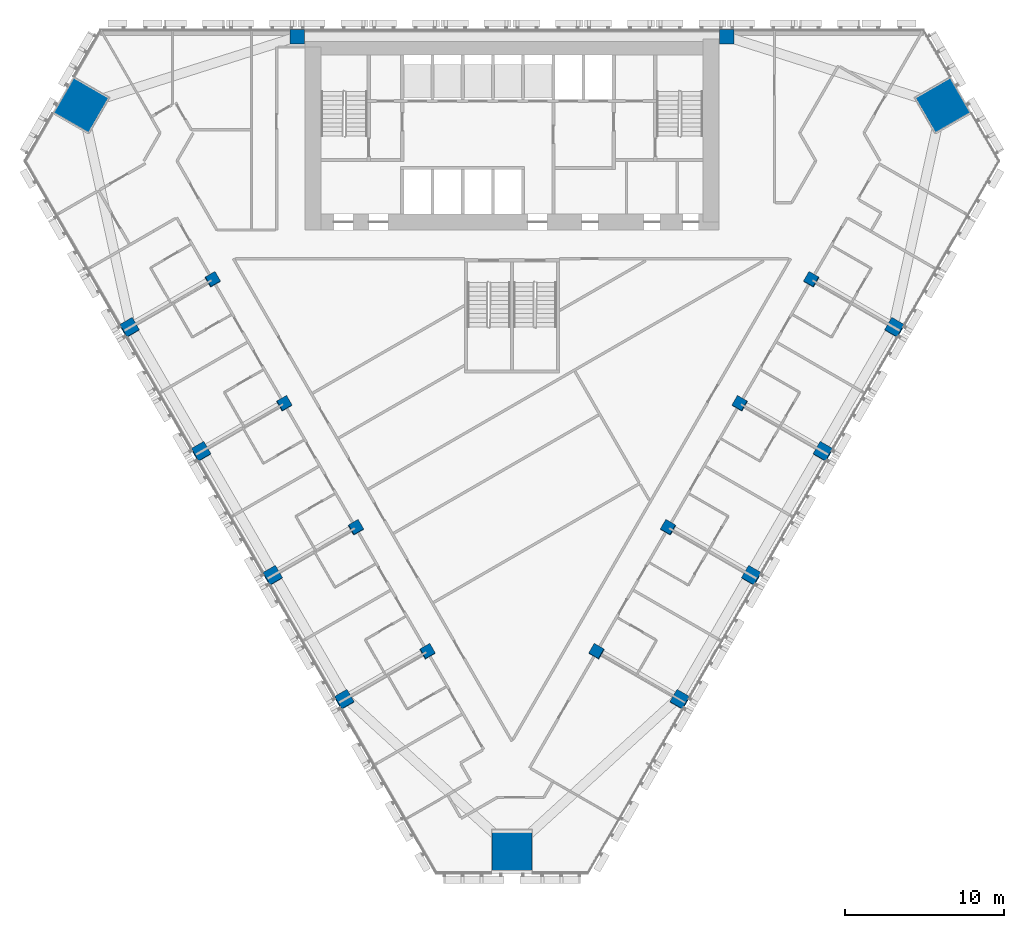
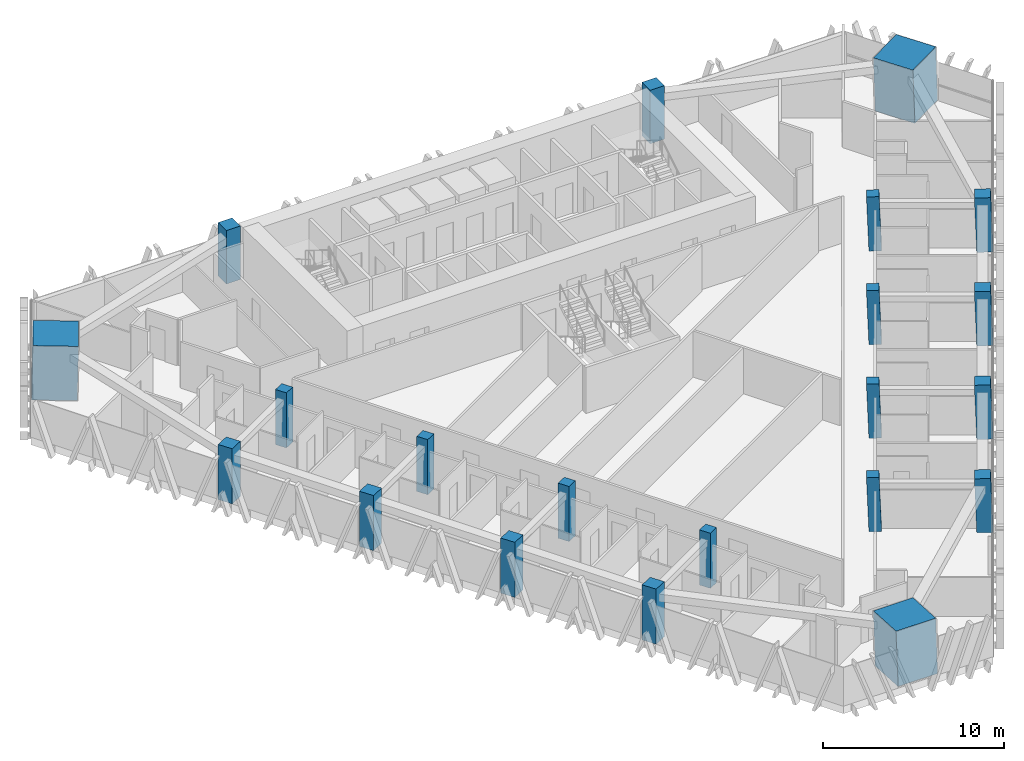
# One storey, part 1 of 18: 21 columns.
"""IFC4 building model written with IfcOpenShell, lengths in metres."""

import ifcopenshell
import ifcopenshell.guid

model = None  # the IFC model being written
_history = None  # IfcOwnerHistory: only IFC2X3 demands one
_inside = {}  # id of a spatial element -> (the spatial element, [elements in it])
_under = {}  # id of a project, library or spatial element -> (it, [spatial elements below it])
_declared = {}  # id of a project -> (the project, [libraries it declares])
_typed = {}  # id of a type object -> (the type object, [elements of that type])
_made_of = {}  # id of a material, layer set ... -> (it, [elements and type objects made of it])


def new_model(schema):
    """Start an empty IFC model of exactly this schema.

    Asked for "IFC4X3", IfcOpenShell would pick the latest addendum, in which some entities
    have other attributes; the version numbers below select the first issue.
    IFC2X3 requires an IfcOwnerHistory on every rooted entity: one is made here for all.
    """
    global model, _history
    if schema == "IFC4X3":
        model = ifcopenshell.file(schema_version=(4, 3, 0, 0))
    else:
        model = ifcopenshell.file(schema=schema)
    _inside.clear()
    _under.clear()
    _declared.clear()
    _typed.clear()
    _made_of.clear()
    _history = None
    if model.schema == "IFC2X3":
        org = make("IfcOrganization", Name="unknown")
        user = make(
            "IfcPersonAndOrganization",
            ThePerson=make("IfcPerson", FamilyName="unknown"),
            TheOrganization=org,
        )
        app = make(
            "IfcApplication",
            ApplicationDeveloper=org,
            Version="unknown",
            ApplicationFullName="unknown",
            ApplicationIdentifier="unknown",
        )
        _history = make(
            "IfcOwnerHistory",
            OwningUser=user,
            OwningApplication=app,
            ChangeAction="ADDED",
            CreationDate=0,
        )
    return model


def make(cls, **values):
    """One entity of the class cls with the attributes given. An attribute that is None is left unset."""
    return model.create_entity(
        cls, **{name: value for name, value in values.items() if value is not None}
    )


def rooted(cls, **values):
    """An entity with a GlobalId (a new one), such as an element, a storey or a relation."""
    return make(cls, GlobalId=ifcopenshell.guid.new(), OwnerHistory=_history, **values)


def si_unit(unit_type, name, prefix=None):
    """IfcSIUnit, for example si_unit("LENGTHUNIT", "METRE", prefix="MILLI")."""
    return make("IfcSIUnit", UnitType=unit_type, Prefix=prefix, Name=name)


def assignment(units):
    """IfcUnitAssignment: the units of a project."""
    return None if units is None else make("IfcUnitAssignment", Units=units)


def point(xyz):
    """IfcCartesianPoint."""
    return None if xyz is None else make("IfcCartesianPoint", Coordinates=xyz)


def direction(xyz):
    """IfcDirection."""
    return None if xyz is None else make("IfcDirection", DirectionRatios=xyz)


def frame(location, z_axis=None, x_axis=None):
    """IfcAxis2Placement3D, a coordinate frame: its origin and axes. An axis left out is left unset."""
    return make(
        "IfcAxis2Placement3D",
        Location=point(location),
        Axis=direction(z_axis),
        RefDirection=direction(x_axis),
    )


def frame_2d(location, x_axis=None):
    """IfcAxis2Placement2D, a coordinate frame in the plane: its origin and x axis."""
    return make(
        "IfcAxis2Placement2D", Location=point(location), RefDirection=direction(x_axis)
    )


def origin():
    """The frame at (0, 0, 0) with its axes left unset."""
    return frame((0.0, 0.0, 0.0))


def origin_2d():
    """The frame at (0, 0) in the plane with its x axis left unset."""
    return frame_2d((0.0, 0.0))


def place(relative_to, where):
    """IfcLocalPlacement: puts the frame where relative to a parent placement (None: the world)."""
    return make(
        "IfcLocalPlacement", PlacementRelTo=relative_to, RelativePlacement=where
    )


def context(
    kind, dimensions, precision=None, world=None, true_north=None, identifier=None
):
    """IfcGeometricRepresentationContext, for example the 3D "Model" context."""
    return make(
        "IfcGeometricRepresentationContext",
        ContextIdentifier=identifier,
        ContextType=kind,
        CoordinateSpaceDimension=dimensions,
        Precision=precision,
        WorldCoordinateSystem=world,
        TrueNorth=true_north,
    )


def subcontext(parent, identifier, kind, view, scale=None):
    """IfcGeometricRepresentationSubContext, for example "Body" below "Model"."""
    return make(
        "IfcGeometricRepresentationSubContext",
        ContextIdentifier=identifier,
        ContextType=kind,
        ParentContext=parent,
        TargetScale=scale,
        TargetView=view,
    )


def project(units=None, contexts=None):
    """IfcProject with its units and contexts."""
    return rooted(
        "IfcProject",
        Name="project",
        RepresentationContexts=contexts,
        UnitsInContext=assignment(units),
    )


def spatial(cls, under=None, at=None, **own):
    """A site, building, storey or space (cls), placed at a placement, below another one or the project."""
    s = rooted(cls, ObjectPlacement=at, **own)
    if under is not None:
        _under.setdefault(under.id(), (under, []))[1].append(s)
    return s


def profile(cls, at=None, kind="AREA", **sizes):
    """A parametric profile (cls). Its sizes go by their IFC names, for example OverallWidth=200.0."""
    return make(cls, ProfileType=kind, Position=at, **sizes)


def rectangle(**sizes):
    """IfcRectangleProfileDef."""
    return profile("IfcRectangleProfileDef", **sizes)


def extrude(swept, where, along, depth):
    """IfcExtrudedAreaSolid: the profile swept, set in the frame where, extruded along a direction by depth."""
    return make(
        "IfcExtrudedAreaSolid",
        SweptArea=swept,
        Position=where,
        ExtrudedDirection=direction(along),
        Depth=depth,
    )


def shape(context_of_items, identifier, shape_type, items):
    """IfcShapeRepresentation: the items that make up one representation, for example the "Body"."""
    return make(
        "IfcShapeRepresentation",
        ContextOfItems=context_of_items,
        RepresentationIdentifier=identifier,
        RepresentationType=shape_type,
        Items=items,
    )


def material(Name=None, Category=None):
    """IfcMaterial."""
    return make("IfcMaterial", Name=Name, Category=Category)


def material_profile(
    of_material, cross_section, Name=None, Category=None, Priority=None
):
    """IfcMaterialProfile: a cross section and its material."""
    return make(
        "IfcMaterialProfile",
        Name=Name,
        Material=of_material,
        Profile=cross_section,
        Priority=Priority,
        Category=Category,
    )


def profile_set(profiles, Name=None, composite=None):
    """IfcMaterialProfileSet."""
    return make(
        "IfcMaterialProfileSet",
        Name=Name,
        MaterialProfiles=profiles,
        CompositeProfile=composite,
    )


def made_of(thing, what):
    """Note that an element or type object is made of a material, layer set ...; save() writes the relation."""
    if what is not None:
        _made_of.setdefault(what.id(), (what, []))[1].append(thing)
    return thing


def type_object(cls, material=None, **own):
    """A type object (cls), such as IfcWallType, which elements share."""
    return made_of(rooted(cls, **own), material)


def element(
    cls,
    number,
    at=None,
    inside=None,
    cuts=None,
    type_object=None,
    material=None,
    context=None,
    identifier="Body",
    shape_type=None,
    held_by="IfcProductDefinitionShape",
    body=None,
    shapes=None,
    **own,
):
    """One element of the class cls, such as IfcWall. Its Tag is "e" and its number.

    at: its placement. inside: the storey or other place that contains it. cuts: it is an
    opening in that element (IfcRelVoidsElement). A single representation is given by context,
    identifier, shape_type and body (its items); several are given by shapes. held_by: the class
    of the entity that holds the representations. save() writes the other relations.
    """
    e = rooted(cls, Tag="e%d" % number, ObjectPlacement=at, **own)
    if body is not None:
        shapes = [shape(context, identifier, shape_type, body)]
    if shapes is not None:
        e.Representation = make(held_by, Representations=shapes)
    if inside is not None:
        _inside.setdefault(inside.id(), (inside, []))[1].append(e)
    if cuts is not None:
        rooted(
            "IfcRelVoidsElement", RelatingBuildingElement=cuts, RelatedOpeningElement=e
        )
    if type_object is not None:
        _typed.setdefault(type_object.id(), (type_object, []))[1].append(e)
    return made_of(e, material)


def aggregate(whole, parts):
    """IfcRelAggregates: a whole, such as a stair, and the parts it consists of."""
    return rooted("IfcRelAggregates", RelatingObject=whole, RelatedObjects=parts)


def save(model, path):
    """Write the relations noted so far, then the file.

    IfcRelAggregates (storeys below a building ...), IfcRelContainedInSpatialStructure (elements
    in a storey), IfcRelDefinesByType, IfcRelAssociatesMaterial and IfcRelDeclares: one each for
    every whole, place, type object, material and project.
    """
    for whole, parts in _under.values():
        aggregate(whole, parts)
    for where, things in _inside.values():
        rooted(
            "IfcRelContainedInSpatialStructure",
            RelatedElements=things,
            RelatingStructure=where,
        )
    for kind, things in _typed.values():
        rooted("IfcRelDefinesByType", RelatedObjects=things, RelatingType=kind)
    for what, things in _made_of.values():
        rooted("IfcRelAssociatesMaterial", RelatedObjects=things, RelatingMaterial=what)
    for by, libraries in _declared.values():
        rooted("IfcRelDeclares", RelatingContext=by, RelatedDefinitions=libraries)
    model.write(path)


model = new_model("IFC4")

# Units and contexts
model_context = context("Model", 3, precision=1e-05, world=origin(), true_north=direction((0.0, 1.0)))
body_context = subcontext(model_context, "Body", "Model", "MODEL_VIEW")
ifc_project = project(units=[si_unit("LENGTHUNIT", "METRE"), si_unit("AREAUNIT", "SQUARE_METRE"), si_unit("VOLUMEUNIT", "CUBIC_METRE"), si_unit("PLANEANGLEUNIT", "RADIAN"), si_unit("MASSUNIT", "GRAM", prefix="KILO")], contexts=[model_context])

# Site, building, storey
site_placement = place(None, origin())
site = spatial("IfcSite", under=ifc_project, at=site_placement, CompositionType="ELEMENT")
building_placement = place(site_placement, origin())
building = spatial("IfcBuilding", under=site, at=building_placement, Name="Altiplano Prism Tower", CompositionType="ELEMENT")
storey_placement = place(building_placement, frame((0.0, 0.0, 48.60009765625)))
storey = spatial("IfcBuildingStorey", under=building, at=storey_placement, Name="L11", CompositionType="ELEMENT", Elevation=48.60009765625)

# Columns
ifc_material_1 = material(Name="Concrete C60/75", Category="concrete")
ifc_material_profile_1 = material_profile(ifc_material_1, rectangle(XDim=0.699951171875, YDim=0.699951171875, at=origin_2d()), Name="Inner column 700")
ifc_profile_set_1 = profile_set([ifc_material_profile_1], Name="Concrete C60/75")
column_type_1 = type_object("IfcColumnType", Name="Inner column 700", PredefinedType="COLUMN", material=ifc_profile_set_1)
for number, where, z_axis, x_axis, name in (
    (1, (66.172119140625, 89.271728515625, -0.021240234375), (0.022222852987, 0.038483477124, 0.999012095419), (-0.865643603437, -0.499179364078, 0.03848524793), "Inner column I11 L11"),
    (2, (70.672119140625, 81.4775390625, -0.021240234375), (0.022222852987, 0.038483477124, 0.999012095419), (-0.865643577248, -0.499179409403, 0.038485249093), "Inner column I12 L11"),
    (3, (75.172119140625, 73.683349609375, -0.021240234375), (0.022222910879, 0.038415824599, 0.999014697916), (-0.86602287418, -0.498524982078, 0.03843466718), "Inner column I13 L11"),
    (4, (79.672119140625, 65.88916015625, -0.021240234375), (0.022222910879, 0.038415824599, 0.999014697916), (-0.866022865462, -0.498524997193, 0.038434667567), "Inner column I14 L11"),
    (5, (90.327880859375, 65.88916015625, -0.021240234375), (-0.022222910879, 0.038415824599, 0.999014697916), (-0.499510298922, -0.86602370152, 0.022190305915), "Inner column I21 L11"),
    (6, (94.827880859375, 73.683349609375, -0.021240234375), (-0.022222910879, 0.038415824599, 0.999014697916), (-0.499510283807, -0.866023710221, 0.022190306586), "Inner column I22 L11"),
    (7, (99.327880859375, 81.4775390625, -0.021240234375), (-0.022222852987, 0.038483477124, 0.999012095419), (-0.500167313981, -0.865643656025, 0.022219784173), "Inner column I23 L11"),
    (8, (103.827880859375, 89.271728515625, -0.021240234375), (-0.022222852987, 0.038483477124, 0.999012095419), (-0.500167298872, -0.865643664738, 0.022219784845), "Inner column I24 L11"),
):
    element("IfcColumn", number, at=place(storey_placement, frame(where, z_axis=z_axis, x_axis=x_axis)), inside=storey, type_object=column_type_1, Name=name, PredefinedType="COLUMN", context=body_context, shape_type="SweptSolid", body=[
        extrude(rectangle(XDim=0.699951171875, YDim=0.699951171875, at=origin_2d()), origin(), (0.0, 0.0, 1.0), 3.603515625),
    ])
ifc_material_2 = material(Name="Concrete C70/85", Category="concrete")
ifc_material_profile_2 = material_profile(ifc_material_2, rectangle(XDim=2.52001953125, YDim=2.52001953125, at=origin_2d()), Name="Mega column infill 2600")
ifc_profile_set_2 = profile_set([ifc_material_profile_2], Name="Concrete C70/85")
column_type_2 = type_object("IfcColumnType", Name="Mega column infill 2600", PredefinedType="COLUMN", material=ifc_profile_set_2)
column_1_placement = place(storey_placement, frame((57.8662109375, 100.2197265625, 0.0), z_axis=(0.028403721265, 0.009287135593, 0.999553389135), x_axis=(-0.866197515162, 0.499302374824, 0.019975065005)))
element("IfcColumn", 9, at=column_1_placement, inside=storey, type_object=column_type_2, Name="Mega column M0 L11", PredefinedType="COLUMN", context=body_context, shape_type="SweptSolid", body=[
    extrude(rectangle(XDim=2.52001953125, YDim=2.52001953125, at=origin_2d()), origin(), (0.0, 0.0, 1.0), 3.6015625),
])
column_2_placement = place(storey_placement, frame((85.0, 53.222900390625, 0.0), z_axis=(0.0, 0.058360852261, 0.998295552892), x_axis=(-1.0, 0.0, 0.0)))
element("IfcColumn", 10, at=column_2_placement, inside=storey, type_object=column_type_2, Name="Mega column M1 L11", PredefinedType="COLUMN", context=body_context, shape_type="SweptSolid", body=[
    extrude(rectangle(XDim=2.52001953125, YDim=2.52001953125, at=origin_2d()), origin(), (0.0, 0.0, 1.0), 3.60595703125),
])
column_3_placement = place(storey_placement, frame((112.1337890625, 100.2197265625, 0.0), z_axis=(-0.028403721265, 0.009287135593, 0.999553389135), x_axis=(0.49889137535, -0.866379466003, 0.02222648173)))
element("IfcColumn", 11, at=column_3_placement, inside=storey, type_object=column_type_2, Name="Mega column M2 L11", PredefinedType="COLUMN", context=body_context, shape_type="SweptSolid", body=[
    extrude(rectangle(XDim=2.52001953125, YDim=2.52001953125, at=origin_2d()), origin(), (0.0, 0.0, 1.0), 3.6015625),
])
ifc_material_profile_3 = material_profile(ifc_material_1, rectangle(XDim=0.89990234375, YDim=0.89990234375, at=origin_2d()), Name="Perimeter column 900")
ifc_profile_set_3 = profile_set([ifc_material_profile_3], Name="Concrete C60/75")
column_type_3 = type_object("IfcColumnType", Name="Perimeter column 900", PredefinedType="COLUMN", material=ifc_profile_set_3)
for number, where, z_axis, x_axis, name in (
    (12, (98.5, 104.550048828125, 0.0), (0.0, 0.0, 1.0), (1.0, 0.0, 0.0), "Perimeter column P01 L11"),
    (13, (71.5, 104.550048828125, 0.0), (0.0, 0.0, 1.0), (1.0, 0.0, 0.0), "Perimeter column P04 L11"),
):
    element("IfcColumn", number, at=place(storey_placement, frame(where, z_axis=z_axis, x_axis=x_axis)), inside=storey, type_object=column_type_3, Name=name, PredefinedType="COLUMN", context=body_context, shape_type="SweptSolid", body=[
        extrude(rectangle(XDim=0.89990234375, YDim=0.89990234375, at=origin_2d()), origin(), (0.0, 0.0, 1.0), 3.599853515625),
    ])
for number, where, z_axis, x_axis, name in (
    (14, (60.9326171875, 86.24658203125, -0.02734375), (0.02215519141, 0.038415882353, 0.999016199807), (-0.865366159559, -0.499666334629, 0.038405259133), "Perimeter column P11 L11"),
    (15, (65.4326171875, 78.452392578125, -0.02734375), (0.02215519141, 0.038415882353, 0.999016199807), (-0.865366150821, -0.499666349732, 0.03840525952), "Perimeter column P12 L11"),
    (16, (69.9326171875, 70.658203125, -0.02734375), (0.02215519141, 0.038415882353, 0.999016199807), (-0.865363476983, -0.49967097139, 0.038405377942), "Perimeter column P13 L11"),
    (17, (74.4326171875, 62.86376953125, -0.02734375), (0.022155133694, 0.038483534979, 0.999013597298), (-0.864981211028, -0.500328523642, 0.038456117832), "Perimeter column P14 L11"),
    (18, (95.5673828125, 62.86376953125, -0.02734375), (-0.022155133694, 0.038483534979, 0.999013597298), (-0.50131492559, -0.864979991656, 0.022202689359), "Perimeter column P21 L11"),
    (19, (100.0673828125, 70.658203125, -0.02734375), (-0.02215519141, 0.038415882353, 0.999016199807), (-0.500654771472, -0.865363010726, 0.022173395511), "Perimeter column P22 L11"),
    (20, (104.5673828125, 78.452392578125, -0.02734375), (-0.02215519141, 0.038415882353, 0.999016199807), (-0.500650149812, -0.865365679311, 0.022173600623), "Perimeter column P23 L11"),
    (21, (109.0673828125, 86.24658203125, -0.02734375), (-0.02215519141, 0.038415882353, 0.999016199807), (-0.500650134709, -0.865365688031, 0.022173601293), "Perimeter column P24 L11"),
):
    element("IfcColumn", number, at=place(storey_placement, frame(where, z_axis=z_axis, x_axis=x_axis)), inside=storey, type_object=column_type_3, Name=name, PredefinedType="COLUMN", context=body_context, shape_type="SweptSolid", body=[
        extrude(rectangle(XDim=0.89990234375, YDim=0.89990234375, at=origin_2d()), origin(), (0.0, 0.0, 1.0), 3.603515625),
    ])

save(model, "model.ifc")
